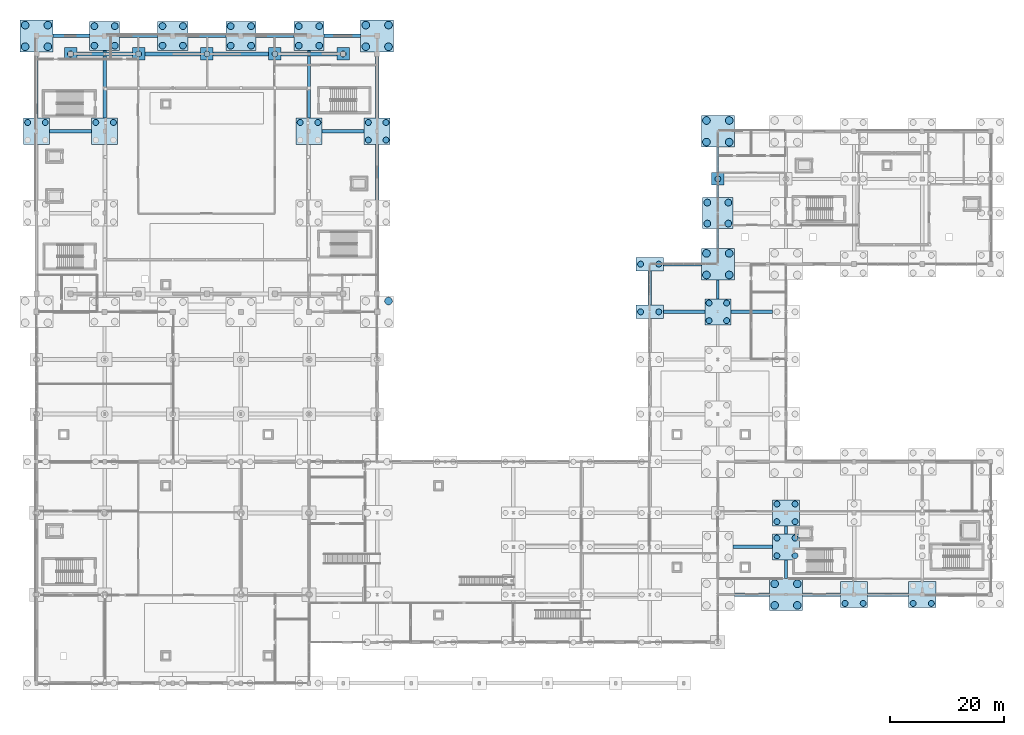
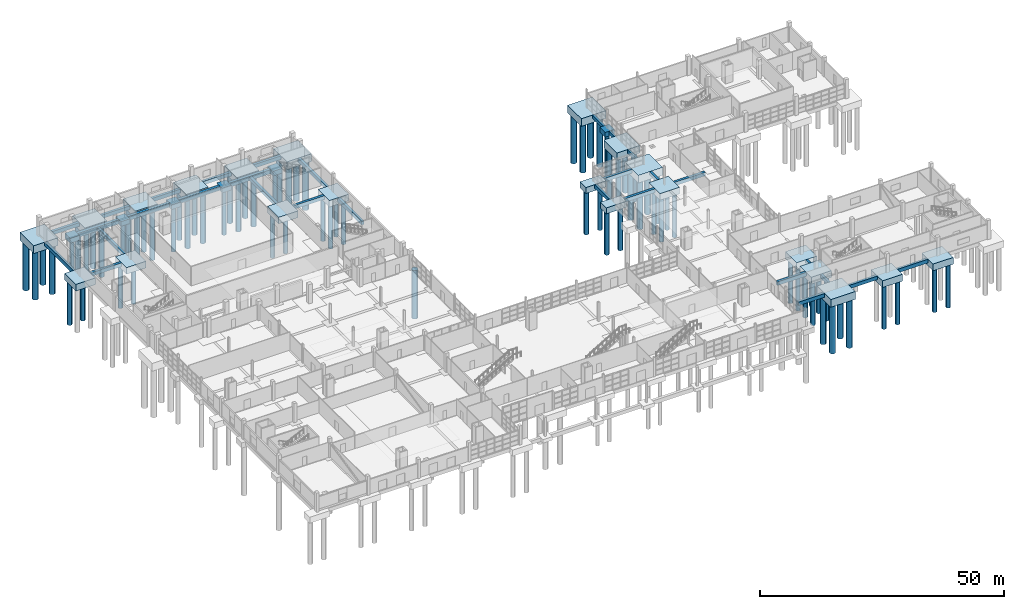
# One storey, part 4 of 82: 77 piles, 57 footings.
"""IFC4 building model written with IfcOpenShell, lengths in metres."""

from ifc_helpers import new_model, si_unit, direction, frame, origin, origin_2d, place, context, subcontext, project, spatial, rectangle, circle, extrude, material, material_profile, profile_set, type_object, element, save


model = new_model("IFC4")

# Units and contexts
model_context = context("Model", 3, precision=1e-05, world=origin(), true_north=direction((0.0, 1.0)))
body_context = subcontext(model_context, "Body", "Model", "MODEL_VIEW")
ifc_project = project(units=[si_unit("LENGTHUNIT", "METRE"), si_unit("AREAUNIT", "SQUARE_METRE"), si_unit("VOLUMEUNIT", "CUBIC_METRE"), si_unit("PLANEANGLEUNIT", "RADIAN"), si_unit("MASSUNIT", "GRAM", prefix="KILO")], contexts=[model_context])

# Site, building, storey
site_placement = place(None, origin())
site = spatial("IfcSite", under=ifc_project, at=site_placement, CompositionType="ELEMENT")
building_placement = place(site_placement, origin())
building = spatial("IfcBuilding", under=site, at=building_placement, Name="Kelmvaro Bay Concert Hall", CompositionType="ELEMENT")
storey_placement = place(building_placement, origin())
storey = spatial("IfcBuildingStorey", under=building, at=storey_placement, Name="L00", CompositionType="ELEMENT", Elevation=0.0)

# Footings
ifc_material_1 = material(Name="Concrete C35/45", Category="concrete")
footing_type_1 = type_object("IfcFootingType", Name="Grade Tie Beam 500x800", PredefinedType="FOOTING_BEAM", material=ifc_material_1)
footing_1_placement = place(storey_placement, frame((120.0, 69.35009765625, -0.7998046875), z_axis=(0.0, 0.0, 1.0), x_axis=(0.0, 1.0, 0.0)))
element("IfcFooting", 1, at=footing_1_placement, inside=storey, type_object=footing_type_1, Name="Grade Tie Beam FDN-TB-175", PredefinedType="FOOTING_BEAM", context=body_context, shape_type="SweptSolid", body=[
    extrude(rectangle(XDim=3.300048828125, YDim=0.5, at=origin_2d()), origin(), (0.0, 0.0, 1.0), 0.800048828125),
])
footing_2_placement = place(storey_placement, frame((120.0, 78.35009765625, -0.7998046875), z_axis=(0.0, 0.0, 1.0), x_axis=(0.0, 1.0, 0.0)))
element("IfcFooting", 2, at=footing_2_placement, inside=storey, type_object=footing_type_1, Name="Grade Tie Beam FDN-TB-176", PredefinedType="FOOTING_BEAM", context=body_context, shape_type="SweptSolid", body=[
    extrude(rectangle(XDim=3.5, YDim=0.5, at=origin_2d()), origin(), (0.0, 0.0, 1.0), 0.800048828125),
])
footing_3_placement = place(storey_placement, frame((120.0, 86.60009765625, -0.7998046875), z_axis=(0.0, 0.0, 1.0), x_axis=(0.0, 1.0, 0.0)))
element("IfcFooting", 3, at=footing_3_placement, inside=storey, type_object=footing_type_1, Name="Grade Tie Beam FDN-TB-177", PredefinedType="FOOTING_BEAM", context=body_context, shape_type="SweptSolid", body=[
    extrude(rectangle(XDim=2.199951171875, YDim=0.5, at=origin_2d()), origin(), (0.0, 0.0, 1.0), 0.800048828125),
])
footing_4_placement = place(storey_placement, frame((120.0, 92.14990234375, -0.7998046875), z_axis=(0.0, 0.0, 1.0), x_axis=(0.0, 1.0, 0.0)))
element("IfcFooting", 4, at=footing_4_placement, inside=storey, type_object=footing_type_1, Name="Grade Tie Beam FDN-TB-178", PredefinedType="FOOTING_BEAM", context=body_context, shape_type="SweptSolid", body=[
    extrude(rectangle(XDim=4.5, YDim=0.5, at=origin_2d()), origin(), (0.0, 0.0, 1.0), 0.800048828125),
])
footing_5_placement = place(storey_placement, frame((132.0, 20.050048828125, -0.7998046875), z_axis=(0.0, 0.0, 1.0), x_axis=(0.0, 1.0, 0.0)))
element("IfcFooting", 5, at=footing_5_placement, inside=storey, type_object=footing_type_1, Name="Grade Tie Beam FDN-TB-179", PredefinedType="FOOTING_BEAM", context=body_context, shape_type="SweptSolid", body=[
    extrude(rectangle(XDim=3.300048828125, YDim=0.5, at=origin_2d()), origin(), (0.0, 0.0, 1.0), 0.800048828125),
])
footing_6_placement = place(storey_placement, frame((132.0, 27.0, -0.7998046875), z_axis=(0.0, 0.0, 1.0), x_axis=(0.0, 1.0, 0.0)))
element("IfcFooting", 6, at=footing_6_placement, inside=storey, type_object=footing_type_1, Name="Grade Tie Beam FDN-TB-180", PredefinedType="FOOTING_BEAM", context=body_context, shape_type="SweptSolid", body=[
    extrude(rectangle(XDim=1.39990234375, YDim=0.5, at=origin_2d()), origin(), (0.0, 0.0, 1.0), 0.800048828125),
])
ifc_material_2 = material(Name="Concrete C35/45", Category="concrete")
footing_type_2 = type_object("IfcFootingType", Name="Grade Tie Beam 600x900", PredefinedType="FOOTING_BEAM", material=ifc_material_2)
footing_7_placement = place(storey_placement, frame((126.0, 15.60009765625, -0.89990234375), z_axis=(0.0, 0.0, 1.0), x_axis=(1.0, 0.0, 0.0)))
element("IfcFooting", 7, at=footing_7_placement, inside=storey, type_object=footing_type_2, Name="Grade Tie Beam FDN-TB-022", PredefinedType="FOOTING_BEAM", context=body_context, shape_type="SweptSolid", body=[
    extrude(rectangle(XDim=6.199951171875, YDim=0.60009765625, at=origin_2d()), origin(), (0.0, 0.0, 1.0), 0.89990234375),
])
footing_8_placement = place(storey_placement, frame((138.25, 15.60009765625, -0.89990234375), z_axis=(0.0, 0.0, 1.0), x_axis=(1.0, 0.0, 0.0)))
element("IfcFooting", 8, at=footing_8_placement, inside=storey, type_object=footing_type_2, Name="Grade Tie Beam FDN-TB-023", PredefinedType="FOOTING_BEAM", context=body_context, shape_type="SweptSolid", body=[
    extrude(rectangle(XDim=6.699951171875, YDim=0.60009765625, at=origin_2d()), origin(), (0.0, 0.0, 1.0), 0.89990234375),
])
footing_9_placement = place(storey_placement, frame((150.0, 15.60009765625, -0.89990234375), z_axis=(0.0, 0.0, 1.0), x_axis=(1.0, 0.0, 0.0)))
element("IfcFooting", 9, at=footing_9_placement, inside=storey, type_object=footing_type_2, Name="Grade Tie Beam FDN-TB-024", PredefinedType="FOOTING_BEAM", context=body_context, shape_type="SweptSolid", body=[
    extrude(rectangle(XDim=7.199951171875, YDim=0.60009765625, at=origin_2d()), origin(), (0.0, 0.0, 1.0), 0.89990234375),
])
footing_10_placement = place(storey_placement, frame((126.14990234375, 24.0, -0.89990234375), z_axis=(0.0, 0.0, 1.0), x_axis=(1.0, 0.0, 0.0)))
element("IfcFooting", 10, at=footing_10_placement, inside=storey, type_object=footing_type_2, Name="Grade Tie Beam FDN-TB-029", PredefinedType="FOOTING_BEAM", context=body_context, shape_type="SweptSolid", body=[
    extrude(rectangle(XDim=6.89990234375, YDim=0.60009765625, at=origin_2d()), origin(), (0.0, 0.0, 1.0), 0.89990234375),
])
for number, where, z_axis, x_axis, name in (
    (11, (114.050048828125, 65.39990234375, -0.89990234375), (0.0, 0.0, 1.0), (1.0, 0.0, 0.0), "Grade Tie Beam FDN-TB-074"),
    (12, (125.949951171875, 65.39990234375, -0.89990234375), (0.0, 0.0, 1.0), (1.0, 0.0, 0.0), "Grade Tie Beam FDN-TB-075"),
):
    element("IfcFooting", number, at=place(storey_placement, frame(where, z_axis=z_axis, x_axis=x_axis)), inside=storey, type_object=footing_type_2, Name=name, PredefinedType="FOOTING_BEAM", context=body_context, shape_type="SweptSolid", body=[
        extrude(rectangle(XDim=7.300048828125, YDim=0.60009765625, at=origin_2d()), origin(), (0.0, 0.0, 1.0), 0.89990234375),
    ])
footing_11_placement = place(storey_placement, frame((113.75, 73.800048828125, -0.89990234375), z_axis=(0.0, 0.0, 1.0), x_axis=(1.0, 0.0, 0.0)))
element("IfcFooting", 13, at=footing_11_placement, inside=storey, type_object=footing_type_2, Name="Grade Tie Beam FDN-TB-080", PredefinedType="FOOTING_BEAM", context=body_context, shape_type="SweptSolid", body=[
    extrude(rectangle(XDim=6.699951171875, YDim=0.60009765625, at=origin_2d()), origin(), (0.0, 0.0, 1.0), 0.89990234375),
])
for number, where, z_axis, x_axis, name in (
    (14, (6.0, 97.199951171875, -0.89990234375), (0.0, 0.0, 1.0), (1.0, 0.0, 0.0), "Grade Tie Beam FDN-TB-092"),
    (15, (54.0, 97.199951171875, -0.89990234375), (0.0, 0.0, 1.0), (1.0, 0.0, 0.0), "Grade Tie Beam FDN-TB-093"),
):
    element("IfcFooting", number, at=place(storey_placement, frame(where, z_axis=z_axis, x_axis=x_axis)), inside=storey, type_object=footing_type_2, Name=name, PredefinedType="FOOTING_BEAM", context=body_context, shape_type="SweptSolid", body=[
        extrude(rectangle(XDim=7.39990234375, YDim=0.60009765625, at=origin_2d()), origin(), (0.0, 0.0, 1.0), 0.89990234375),
    ])
footing_12_placement = place(storey_placement, frame((6.125, 114.0, -0.89990234375), z_axis=(0.0, 0.0, 1.0), x_axis=(1.0, 0.0, 0.0)))
element("IfcFooting", 16, at=footing_12_placement, inside=storey, type_object=footing_type_2, Name="Grade Tie Beam FDN-TB-102", PredefinedType="FOOTING_BEAM", context=body_context, shape_type="SweptSolid", body=[
    extrude(rectangle(XDim=6.449951171875, YDim=0.60009765625, at=origin_2d()), origin(), (0.0, 0.0, 1.0), 0.89990234375),
])
for number, where, z_axis, x_axis, name in (
    (17, (18.0, 114.0, -0.89990234375), (0.0, 0.0, 1.0), (1.0, 0.0, 0.0), "Grade Tie Beam FDN-TB-103"),
    (18, (30.0, 114.0, -0.89990234375), (0.0, 0.0, 1.0), (1.0, 0.0, 0.0), "Grade Tie Beam FDN-TB-104"),
    (19, (42.0, 114.0, -0.89990234375), (0.0, 0.0, 1.0), (1.0, 0.0, 0.0), "Grade Tie Beam FDN-TB-105"),
):
    element("IfcFooting", number, at=place(storey_placement, frame(where, z_axis=z_axis, x_axis=x_axis)), inside=storey, type_object=footing_type_2, Name=name, PredefinedType="FOOTING_BEAM", context=body_context, shape_type="SweptSolid", body=[
        extrude(rectangle(XDim=6.699951171875, YDim=0.60009765625, at=origin_2d()), origin(), (0.0, 0.0, 1.0), 0.89990234375),
    ])
footing_13_placement = place(storey_placement, frame((53.875, 114.0, -0.89990234375), z_axis=(0.0, 0.0, 1.0), x_axis=(1.0, 0.0, 0.0)))
element("IfcFooting", 20, at=footing_13_placement, inside=storey, type_object=footing_type_2, Name="Grade Tie Beam FDN-TB-106", PredefinedType="FOOTING_BEAM", context=body_context, shape_type="SweptSolid", body=[
    extrude(rectangle(XDim=6.449951171875, YDim=0.60009765625, at=origin_2d()), origin(), (0.0, 0.0, 1.0), 0.89990234375),
])
footing_14_placement = place(storey_placement, frame((0.0, 105.35009765625, -0.89990234375), z_axis=(0.0, 0.0, 1.0), x_axis=(0.0, 1.0, 0.0)))
element("IfcFooting", 21, at=footing_14_placement, inside=storey, type_object=footing_type_2, Name="Grade Tie Beam FDN-TB-115", PredefinedType="FOOTING_BEAM", context=body_context, shape_type="SweptSolid", body=[
    extrude(rectangle(XDim=11.699951171875, YDim=0.60009765625, at=origin_2d()), origin(), (0.0, 0.0, 1.0), 0.89990234375),
])
for number, where, z_axis, x_axis, name in (
    (22, (12.0, 105.47509765625, -0.89990234375), (0.0, 0.0, 1.0), (0.0, 1.0, 0.0), "Grade Tie Beam FDN-TB-124"),
    (23, (48.0, 105.47509765625, -0.89990234375), (0.0, 0.0, 1.0), (0.0, 1.0, 0.0), "Grade Tie Beam FDN-TB-142"),
):
    element("IfcFooting", number, at=place(storey_placement, frame(where, z_axis=z_axis, x_axis=x_axis)), inside=storey, type_object=footing_type_2, Name=name, PredefinedType="FOOTING_BEAM", context=body_context, shape_type="SweptSolid", body=[
        extrude(rectangle(XDim=11.949951171875, YDim=0.60009765625, at=origin_2d()), origin(), (0.0, 0.0, 1.0), 0.89990234375),
    ])
footing_15_placement = place(storey_placement, frame((60.0, 90.0, -0.89990234375), z_axis=(0.0, 0.0, 1.0), x_axis=(0.0, 1.0, 0.0)))
element("IfcFooting", 24, at=footing_15_placement, inside=storey, type_object=footing_type_2, Name="Grade Tie Beam FDN-TB-150", PredefinedType="FOOTING_BEAM", context=body_context, shape_type="SweptSolid", body=[
    extrude(rectangle(XDim=9.800048828125, YDim=0.60009765625, at=origin_2d()), origin(), (0.0, 0.0, 1.0), 0.89990234375),
])
footing_16_placement = place(storey_placement, frame((60.0, 105.35009765625, -0.89990234375), z_axis=(0.0, 0.0, 1.0), x_axis=(0.0, 1.0, 0.0)))
element("IfcFooting", 25, at=footing_16_placement, inside=storey, type_object=footing_type_2, Name="Grade Tie Beam FDN-TB-151", PredefinedType="FOOTING_BEAM", context=body_context, shape_type="SweptSolid", body=[
    extrude(rectangle(XDim=11.699951171875, YDim=0.60009765625, at=origin_2d()), origin(), (0.0, 0.0, 1.0), 0.89990234375),
])
footing_17_placement = place(storey_placement, frame((108.0, 69.60009765625, -0.89990234375), z_axis=(0.0, 0.0, 1.0), x_axis=(0.0, 1.0, 0.0)))
element("IfcFooting", 26, at=footing_17_placement, inside=storey, type_object=footing_type_2, Name="Grade Tie Beam FDN-TB-167", PredefinedType="FOOTING_BEAM", context=body_context, shape_type="SweptSolid", body=[
    extrude(rectangle(XDim=6.0, YDim=0.60009765625, at=origin_2d()), origin(), (0.0, 0.0, 1.0), 0.89990234375),
])
ifc_material_3 = material(Name="Concrete C35/45", Category="concrete")
footing_type_3 = type_object("IfcFootingType", Name="Grade Tie Beam 700x1000", PredefinedType="FOOTING_BEAM", material=ifc_material_3)
for number, where, z_axis, x_axis, name in (
    (27, (12.0, 110.820068359375, -1.0), (0.0, 0.0, 1.0), (1.0, 0.0, 0.0), "Grade Tie Beam FDN-TB-098"),
    (28, (24.0, 110.820068359375, -1.0), (0.0, 0.0, 1.0), (1.0, 0.0, 0.0), "Grade Tie Beam FDN-TB-099"),
    (29, (36.0, 110.820068359375, -1.0), (0.0, 0.0, 1.0), (1.0, 0.0, 0.0), "Grade Tie Beam FDN-TB-100"),
    (30, (48.0, 110.820068359375, -1.0), (0.0, 0.0, 1.0), (1.0, 0.0, 0.0), "Grade Tie Beam FDN-TB-101"),
):
    element("IfcFooting", number, at=place(storey_placement, frame(where, z_axis=z_axis, x_axis=x_axis)), inside=storey, type_object=footing_type_3, Name=name, PredefinedType="FOOTING_BEAM", context=body_context, shape_type="SweptSolid", body=[
        extrude(rectangle(XDim=9.800048828125, YDim=0.699951171875, at=origin_2d()), origin(), (0.0, 0.0, 1.0), 1.0),
    ])
ifc_material_4 = material(Name="Concrete C35/45", Category="concrete")
footing_type_4 = type_object("IfcFootingType", Name="Pile Cap 2200x2200x1200", PredefinedType="PILE_CAP", material=ifc_material_4)
for number, where, z_axis, x_axis, name in (
    (31, (6.0, 110.820068359375, -1.2001953125), (0.0, 0.0, 1.0), (1.0, 0.0, 0.0), "Pile Cap FDN-PC-016"),
    (32, (18.0, 110.820068359375, -1.2001953125), (0.0, 0.0, 1.0), (1.0, 0.0, 0.0), "Pile Cap FDN-PC-018"),
    (33, (30.0, 110.820068359375, -1.2001953125), (0.0, 0.0, 1.0), (1.0, 0.0, 0.0), "Pile Cap FDN-PC-020"),
    (34, (42.0, 110.820068359375, -1.2001953125), (0.0, 0.0, 1.0), (1.0, 0.0, 0.0), "Pile Cap FDN-PC-022"),
    (35, (54.0, 110.820068359375, -1.2001953125), (0.0, 0.0, 1.0), (1.0, 0.0, 0.0), "Pile Cap FDN-PC-024"),
    (36, (120.0, 88.800048828125, -1.2001953125), (0.0, 0.0, 1.0), (1.0, 0.0, 0.0), "Pile Cap FDN-PC-037"),
):
    element("IfcFooting", number, at=place(storey_placement, frame(where, z_axis=z_axis, x_axis=x_axis)), inside=storey, type_object=footing_type_4, Name=name, PredefinedType="PILE_CAP", context=body_context, shape_type="SweptSolid", body=[
        extrude(rectangle(XDim=2.199951171875, YDim=2.199951171875, at=origin_2d()), origin(), (0.0, 0.0, 1.0), 1.199951171875),
    ])
ifc_material_5 = material(Name="Concrete C35/45", Category="concrete")
footing_type_5 = type_object("IfcFootingType", Name="Pile Cap 4600x4600x1650", PredefinedType="PILE_CAP", material=ifc_material_5)
for number, where, z_axis, x_axis, name in (
    (37, (0.0, 97.199951171875, -1.64990234375), (0.0, 0.0, 1.0), (1.0, 0.0, 0.0), "Pile Cap FDN-PC-028"),
    (38, (12.0, 97.199951171875, -1.64990234375), (0.0, 0.0, 1.0), (1.0, 0.0, 0.0), "Pile Cap FDN-PC-030"),
    (39, (48.0, 97.199951171875, -1.64990234375), (0.0, 0.0, 1.0), (1.0, 0.0, 0.0), "Pile Cap FDN-PC-032"),
    (40, (60.0, 97.199951171875, -1.64990234375), (0.0, 0.0, 1.0), (1.0, 0.0, 0.0), "Pile Cap FDN-PC-034"),
    (41, (120.0, 65.39990234375, -1.64990234375), (0.0, 0.0, 1.0), (1.0, 0.0, 0.0), "Pile Cap FDN-PC-129"),
):
    element("IfcFooting", number, at=place(storey_placement, frame(where, z_axis=z_axis, x_axis=x_axis)), inside=storey, type_object=footing_type_5, Name=name, PredefinedType="PILE_CAP", context=body_context, shape_type="SweptSolid", body=[
        extrude(rectangle(XDim=4.60009765625, YDim=4.60009765625, at=origin_2d()), origin(), (0.0, 0.0, 1.0), 1.64990234375),
    ])
ifc_material_6 = material(Name="Concrete C35/45", Category="concrete")
footing_type_6 = type_object("IfcFootingType", Name="Pile Cap 4800x2400x1500", PredefinedType="PILE_CAP", material=ifc_material_6)
for number, where, z_axis, x_axis, name in (
    (42, (108.0, 65.39990234375, -1.5), (0.0, 0.0, 1.0), (1.0, 0.0, 0.0), "Pile Cap FDN-PC-126"),
    (43, (108.0, 73.800048828125, -1.5), (0.0, 0.0, 1.0), (1.0, 0.0, 0.0), "Pile Cap FDN-PC-133"),
):
    element("IfcFooting", number, at=place(storey_placement, frame(where, z_axis=z_axis, x_axis=x_axis)), inside=storey, type_object=footing_type_6, Name=name, PredefinedType="PILE_CAP", context=body_context, shape_type="SweptSolid", body=[
        extrude(rectangle(XDim=4.800048828125, YDim=2.39990234375, at=origin_2d()), origin(), (0.0, 0.0, 1.0), 1.5),
    ])
ifc_material_7 = material(Name="Concrete C35/45", Category="concrete")
footing_type_7 = type_object("IfcFootingType", Name="Pile Cap 4800x4600x1700", PredefinedType="PILE_CAP", material=ifc_material_7)
for number, where, z_axis, x_axis, name in (
    (44, (132.0, 24.0, -1.7001953125), (0.0, 0.0, 1.0), (1.0, 0.0, 0.0), "Pile Cap FDN-PC-076"),
    (45, (132.0, 30.0, -1.7001953125), (0.0, 0.0, 1.0), (1.0, 0.0, 0.0), "Pile Cap FDN-PC-077"),
    (46, (144.0, 15.60009765625, -1.7001953125), (0.0, 0.0, 1.0), (1.0, 0.0, 0.0), "Pile Cap FDN-PC-079"),
    (47, (156.0, 15.60009765625, -1.7001953125), (0.0, 0.0, 1.0), (1.0, 0.0, 0.0), "Pile Cap FDN-PC-082"),
):
    element("IfcFooting", number, at=place(storey_placement, frame(where, z_axis=z_axis, x_axis=x_axis)), inside=storey, type_object=footing_type_7, Name=name, PredefinedType="PILE_CAP", context=body_context, shape_type="SweptSolid", body=[
        extrude(rectangle(XDim=4.800048828125, YDim=4.60009765625, at=origin_2d()), origin(), (0.0, 0.0, 1.0), 1.699951171875),
    ])
ifc_material_8 = material(Name="Concrete C35/45", Category="concrete")
footing_type_8 = type_object("IfcFootingType", Name="Pile Cap 5300x5100x1800", PredefinedType="PILE_CAP", material=ifc_material_8)
for number, where, z_axis, x_axis, name in (
    (48, (12.0, 114.0, -1.7998046875), (0.0, 0.0, 1.0), (1.0, 0.0, 0.0), "Pile Cap FDN-PC-004"),
    (49, (24.0, 114.0, -1.7998046875), (0.0, 0.0, 1.0), (1.0, 0.0, 0.0), "Pile Cap FDN-PC-006"),
    (50, (36.0, 114.0, -1.7998046875), (0.0, 0.0, 1.0), (1.0, 0.0, 0.0), "Pile Cap FDN-PC-008"),
    (51, (48.0, 114.0, -1.7998046875), (0.0, 0.0, 1.0), (1.0, 0.0, 0.0), "Pile Cap FDN-PC-010"),
):
    element("IfcFooting", number, at=place(storey_placement, frame(where, z_axis=z_axis, x_axis=x_axis)), inside=storey, type_object=footing_type_8, Name=name, PredefinedType="PILE_CAP", context=body_context, shape_type="SweptSolid", body=[
        extrude(rectangle(XDim=5.300048828125, YDim=5.10009765625, at=origin_2d()), origin(), (0.0, 0.0, 1.0), 1.800048828125),
    ])
ifc_material_9 = material(Name="Concrete C35/45", Category="concrete")
footing_type_9 = type_object("IfcFootingType", Name="Pile Cap 5400x5400x1850", PredefinedType="PILE_CAP", material=ifc_material_9)
footing_18_placement = place(storey_placement, frame((120.0, 82.800048828125, -1.85009765625), z_axis=(0.0, 0.0, 1.0), x_axis=(1.0, 0.0, 0.0)))
element("IfcFooting", 52, at=footing_18_placement, inside=storey, type_object=footing_type_9, Name="Pile Cap FDN-PC-036", PredefinedType="PILE_CAP", context=body_context, shape_type="SweptSolid", body=[
    extrude(rectangle(XDim=5.39990234375, YDim=5.39990234375, at=origin_2d()), origin(), (0.0, 0.0, 1.0), 1.85009765625),
])
ifc_material_10 = material(Name="Concrete C35/45", Category="concrete")
footing_type_10 = type_object("IfcFootingType", Name="Pile Cap 5800x5600x1950", PredefinedType="PILE_CAP", material=ifc_material_10)
for number, where, z_axis, x_axis, name in (
    (53, (0.0, 114.0, -1.9501953125), (0.0, 0.0, 1.0), (1.0, 0.0, 0.0), "Pile Cap FDN-PC-002"),
    (54, (60.0, 114.0, -1.9501953125), (0.0, 0.0, 1.0), (1.0, 0.0, 0.0), "Pile Cap FDN-PC-012"),
    (55, (120.0, 73.800048828125, -1.9501953125), (0.0, 0.0, 1.0), (1.0, 0.0, 0.0), "Pile Cap FDN-PC-035"),
    (56, (120.0, 97.199951171875, -1.9501953125), (0.0, 0.0, 1.0), (1.0, 0.0, 0.0), "Pile Cap FDN-PC-038"),
    (57, (132.0, 15.60009765625, -1.9501953125), (0.0, 0.0, 1.0), (1.0, 0.0, 0.0), "Pile Cap FDN-PC-075"),
):
    element("IfcFooting", number, at=place(storey_placement, frame(where, z_axis=z_axis, x_axis=x_axis)), inside=storey, type_object=footing_type_10, Name=name, PredefinedType="PILE_CAP", context=body_context, shape_type="SweptSolid", body=[
        extrude(rectangle(XDim=5.800048828125, YDim=5.60009765625, at=origin_2d()), origin(), (0.0, 0.0, 1.0), 1.949951171875),
    ])

# Piles
ifc_material_11 = material(Name="Concrete C35/45", Category="concrete")
ifc_material_profile_1 = material_profile(ifc_material_11, circle(Radius=0.52490234375, at=origin_2d()), Name="PILE-BORED-1050")
ifc_profile_set_1 = profile_set([ifc_material_profile_1], Name="Concrete C35/45")
pile_type_1 = type_object("IfcPileType", Name="Rock Shaft Bored Pile D1050", PredefinedType="BORED", material=ifc_profile_set_1)
for number, where, z_axis, x_axis, name in (
    (58, (6.0, 110.820068359375, -1.10009765625), (0.0, 0.0, -1.0), (1.0, 0.0, 0.0), "Bored Rock Shaft FDN-BP-0050"),
    (59, (18.0, 110.820068359375, -1.10009765625), (0.0, 0.0, -1.0), (1.0, 0.0, 0.0), "Bored Rock Shaft FDN-BP-0052"),
    (60, (30.0, 110.820068359375, -1.10009765625), (0.0, 0.0, -1.0), (1.0, 0.0, 0.0), "Bored Rock Shaft FDN-BP-0054"),
    (61, (42.0, 110.820068359375, -1.10009765625), (0.0, 0.0, -1.0), (1.0, 0.0, 0.0), "Bored Rock Shaft FDN-BP-0056"),
    (62, (54.0, 110.820068359375, -1.10009765625), (0.0, 0.0, -1.0), (1.0, 0.0, 0.0), "Bored Rock Shaft FDN-BP-0058"),
):
    element("IfcPile", number, at=place(storey_placement, frame(where, z_axis=z_axis, x_axis=x_axis)), inside=storey, type_object=pile_type_1, Name=name, PredefinedType="BORED", context=body_context, shape_type="SweptSolid", body=[
        extrude(circle(Radius=0.52490234375, at=origin_2d()), origin(), (0.0, 0.0, 1.0), 11.39990234375),
    ])
for number, where, z_axis, x_axis, name in (
    (63, (-1.550048828125, 98.75, -1.550048828125), (0.0, 0.0, -1.0), (1.0, 0.0, 0.0), "Bored Rock Shaft FDN-BP-0065"),
    (64, (1.550048828125, 98.75, -1.550048828125), (0.0, 0.0, -1.0), (1.0, 0.0, 0.0), "Bored Rock Shaft FDN-BP-0066"),
    (65, (10.449951171875, 98.75, -1.550048828125), (0.0, 0.0, -1.0), (1.0, 0.0, 0.0), "Bored Rock Shaft FDN-BP-0073"),
    (66, (13.550048828125, 98.75, -1.550048828125), (0.0, 0.0, -1.0), (1.0, 0.0, 0.0), "Bored Rock Shaft FDN-BP-0074"),
    (67, (46.449951171875, 98.75, -1.550048828125), (0.0, 0.0, -1.0), (1.0, 0.0, 0.0), "Bored Rock Shaft FDN-BP-0081"),
    (68, (49.550048828125, 98.75, -1.550048828125), (0.0, 0.0, -1.0), (1.0, 0.0, 0.0), "Bored Rock Shaft FDN-BP-0082"),
    (69, (58.449951171875, 95.64990234375, -1.550048828125), (0.0, 0.0, -1.0), (1.0, 0.0, 0.0), "Bored Rock Shaft FDN-BP-0087"),
    (70, (61.550048828125, 95.64990234375, -1.550048828125), (0.0, 0.0, -1.0), (1.0, 0.0, 0.0), "Bored Rock Shaft FDN-BP-0088"),
    (71, (58.449951171875, 98.75, -1.550048828125), (0.0, 0.0, -1.0), (1.0, 0.0, 0.0), "Bored Rock Shaft FDN-BP-0089"),
    (72, (61.550048828125, 98.75, -1.550048828125), (0.0, 0.0, -1.0), (1.0, 0.0, 0.0), "Bored Rock Shaft FDN-BP-0090"),
):
    element("IfcPile", number, at=place(storey_placement, frame(where, z_axis=z_axis, x_axis=x_axis)), inside=storey, type_object=pile_type_1, Name=name, PredefinedType="BORED", context=body_context, shape_type="SweptSolid", body=[
        extrude(circle(Radius=0.52490234375, at=origin_2d()), origin(), (0.0, 0.0, 1.0), 10.949951171875),
    ])
pile_placement = place(storey_placement, frame((120.0, 88.800048828125, -1.10009765625), z_axis=(0.0, 0.0, -1.0), x_axis=(1.0, 0.0, 0.0)))
element("IfcPile", 73, at=pile_placement, inside=storey, type_object=pile_type_1, Name="Bored Rock Shaft FDN-BP-0099", PredefinedType="BORED", context=body_context, shape_type="SweptSolid", body=[
    extrude(circle(Radius=0.52490234375, at=origin_2d()), origin(), (0.0, 0.0, 1.0), 11.39990234375),
])
for number, where, z_axis, x_axis, name in (
    (74, (130.39990234375, 22.449951171875, -1.60009765625), (0.0, 0.0, -1.0), (1.0, 0.0, 0.0), "Bored Rock Shaft FDN-BP-0194"),
    (75, (133.60009765625, 22.449951171875, -1.60009765625), (0.0, 0.0, -1.0), (1.0, 0.0, 0.0), "Bored Rock Shaft FDN-BP-0195"),
    (76, (130.39990234375, 25.550048828125, -1.60009765625), (0.0, 0.0, -1.0), (1.0, 0.0, 0.0), "Bored Rock Shaft FDN-BP-0196"),
    (77, (133.60009765625, 25.550048828125, -1.60009765625), (0.0, 0.0, -1.0), (1.0, 0.0, 0.0), "Bored Rock Shaft FDN-BP-0197"),
    (78, (130.39990234375, 28.449951171875, -1.60009765625), (0.0, 0.0, -1.0), (1.0, 0.0, 0.0), "Bored Rock Shaft FDN-BP-0198"),
    (79, (133.60009765625, 28.449951171875, -1.60009765625), (0.0, 0.0, -1.0), (1.0, 0.0, 0.0), "Bored Rock Shaft FDN-BP-0199"),
    (80, (130.39990234375, 31.550048828125, -1.60009765625), (0.0, 0.0, -1.0), (1.0, 0.0, 0.0), "Bored Rock Shaft FDN-BP-0200"),
    (81, (133.60009765625, 31.550048828125, -1.60009765625), (0.0, 0.0, -1.0), (1.0, 0.0, 0.0), "Bored Rock Shaft FDN-BP-0201"),
    (82, (142.39990234375, 14.050048828125, -1.60009765625), (0.0, 0.0, -1.0), (1.0, 0.0, 0.0), "Bored Rock Shaft FDN-BP-0206"),
    (83, (145.60009765625, 14.050048828125, -1.60009765625), (0.0, 0.0, -1.0), (1.0, 0.0, 0.0), "Bored Rock Shaft FDN-BP-0207"),
    (84, (154.39990234375, 14.050048828125, -1.60009765625), (0.0, 0.0, -1.0), (1.0, 0.0, 0.0), "Bored Rock Shaft FDN-BP-0216"),
    (85, (157.60009765625, 14.050048828125, -1.60009765625), (0.0, 0.0, -1.0), (1.0, 0.0, 0.0), "Bored Rock Shaft FDN-BP-0217"),
):
    element("IfcPile", number, at=place(storey_placement, frame(where, z_axis=z_axis, x_axis=x_axis)), inside=storey, type_object=pile_type_1, Name=name, PredefinedType="BORED", context=body_context, shape_type="SweptSolid", body=[
        extrude(circle(Radius=0.52490234375, at=origin_2d()), origin(), (0.0, 0.0, 1.0), 10.89990234375),
    ])
for number, where, z_axis, x_axis, name in (
    (86, (106.39990234375, 65.39990234375, -1.39990234375), (0.0, 0.0, -1.0), (1.0, 0.0, 0.0), "Bored Rock Shaft FDN-BP-0299"),
    (87, (109.60009765625, 65.39990234375, -1.39990234375), (0.0, 0.0, -1.0), (1.0, 0.0, 0.0), "Bored Rock Shaft FDN-BP-0300"),
):
    element("IfcPile", number, at=place(storey_placement, frame(where, z_axis=z_axis, x_axis=x_axis)), inside=storey, type_object=pile_type_1, Name=name, PredefinedType="BORED", context=body_context, shape_type="SweptSolid", body=[
        extrude(circle(Radius=0.52490234375, at=origin_2d()), origin(), (0.0, 0.0, 1.0), 11.10009765625),
    ])
for number, where, z_axis, x_axis, name in (
    (88, (118.449951171875, 63.85009765625, -1.550048828125), (0.0, 0.0, -1.0), (1.0, 0.0, 0.0), "Bored Rock Shaft FDN-BP-0309"),
    (89, (121.550048828125, 63.85009765625, -1.550048828125), (0.0, 0.0, -1.0), (1.0, 0.0, 0.0), "Bored Rock Shaft FDN-BP-0310"),
    (90, (118.449951171875, 66.949951171875, -1.550048828125), (0.0, 0.0, -1.0), (1.0, 0.0, 0.0), "Bored Rock Shaft FDN-BP-0311"),
    (91, (121.550048828125, 66.949951171875, -1.550048828125), (0.0, 0.0, -1.0), (1.0, 0.0, 0.0), "Bored Rock Shaft FDN-BP-0312"),
):
    element("IfcPile", number, at=place(storey_placement, frame(where, z_axis=z_axis, x_axis=x_axis)), inside=storey, type_object=pile_type_1, Name=name, PredefinedType="BORED", context=body_context, shape_type="SweptSolid", body=[
        extrude(circle(Radius=0.52490234375, at=origin_2d()), origin(), (0.0, 0.0, 1.0), 10.949951171875),
    ])
for number, where, z_axis, x_axis, name in (
    (92, (106.39990234375, 73.800048828125, -1.39990234375), (0.0, 0.0, -1.0), (1.0, 0.0, 0.0), "Bored Rock Shaft FDN-BP-0319"),
    (93, (109.60009765625, 73.800048828125, -1.39990234375), (0.0, 0.0, -1.0), (1.0, 0.0, 0.0), "Bored Rock Shaft FDN-BP-0320"),
):
    element("IfcPile", number, at=place(storey_placement, frame(where, z_axis=z_axis, x_axis=x_axis)), inside=storey, type_object=pile_type_1, Name=name, PredefinedType="BORED", context=body_context, shape_type="SweptSolid", body=[
        extrude(circle(Radius=0.52490234375, at=origin_2d()), origin(), (0.0, 0.0, 1.0), 11.10009765625),
    ])
ifc_material_12 = material(Name="Concrete C35/45", Category="concrete")
ifc_material_profile_2 = material_profile(ifc_material_12, circle(Radius=0.60009765625, at=origin_2d()), Name="PILE-BORED-1200")
ifc_profile_set_2 = profile_set([ifc_material_profile_2], Name="Concrete C35/45")
pile_type_2 = type_object("IfcPileType", Name="Rock Shaft Bored Pile D1200", PredefinedType="BORED", material=ifc_profile_set_2)
for number, where, z_axis, x_axis, name in (
    (94, (10.199951171875, 112.280029296875, -1.699951171875), (0.0, 0.0, -1.0), (1.0, 0.0, 0.0), "Bored Rock Shaft FDN-BP-0013"),
    (95, (13.800048828125, 112.280029296875, -1.699951171875), (0.0, 0.0, -1.0), (1.0, 0.0, 0.0), "Bored Rock Shaft FDN-BP-0014"),
    (96, (10.199951171875, 115.719970703125, -1.699951171875), (0.0, 0.0, -1.0), (1.0, 0.0, 0.0), "Bored Rock Shaft FDN-BP-0015"),
    (97, (13.800048828125, 115.719970703125, -1.699951171875), (0.0, 0.0, -1.0), (1.0, 0.0, 0.0), "Bored Rock Shaft FDN-BP-0016"),
    (98, (22.199951171875, 112.280029296875, -1.699951171875), (0.0, 0.0, -1.0), (1.0, 0.0, 0.0), "Bored Rock Shaft FDN-BP-0021"),
    (99, (25.800048828125, 112.280029296875, -1.699951171875), (0.0, 0.0, -1.0), (1.0, 0.0, 0.0), "Bored Rock Shaft FDN-BP-0022"),
    (100, (22.199951171875, 115.719970703125, -1.699951171875), (0.0, 0.0, -1.0), (1.0, 0.0, 0.0), "Bored Rock Shaft FDN-BP-0023"),
    (101, (25.800048828125, 115.719970703125, -1.699951171875), (0.0, 0.0, -1.0), (1.0, 0.0, 0.0), "Bored Rock Shaft FDN-BP-0024"),
    (102, (34.199951171875, 112.280029296875, -1.699951171875), (0.0, 0.0, -1.0), (1.0, 0.0, 0.0), "Bored Rock Shaft FDN-BP-0029"),
    (103, (37.800048828125, 112.280029296875, -1.699951171875), (0.0, 0.0, -1.0), (1.0, 0.0, 0.0), "Bored Rock Shaft FDN-BP-0030"),
    (104, (34.199951171875, 115.719970703125, -1.699951171875), (0.0, 0.0, -1.0), (1.0, 0.0, 0.0), "Bored Rock Shaft FDN-BP-0031"),
    (105, (37.800048828125, 115.719970703125, -1.699951171875), (0.0, 0.0, -1.0), (1.0, 0.0, 0.0), "Bored Rock Shaft FDN-BP-0032"),
    (106, (46.199951171875, 112.280029296875, -1.699951171875), (0.0, 0.0, -1.0), (1.0, 0.0, 0.0), "Bored Rock Shaft FDN-BP-0037"),
    (107, (49.800048828125, 112.280029296875, -1.699951171875), (0.0, 0.0, -1.0), (1.0, 0.0, 0.0), "Bored Rock Shaft FDN-BP-0038"),
    (108, (46.199951171875, 115.719970703125, -1.699951171875), (0.0, 0.0, -1.0), (1.0, 0.0, 0.0), "Bored Rock Shaft FDN-BP-0039"),
    (109, (49.800048828125, 115.719970703125, -1.699951171875), (0.0, 0.0, -1.0), (1.0, 0.0, 0.0), "Bored Rock Shaft FDN-BP-0040"),
):
    element("IfcPile", number, at=place(storey_placement, frame(where, z_axis=z_axis, x_axis=x_axis)), inside=storey, type_object=pile_type_2, Name=name, PredefinedType="BORED", context=body_context, shape_type="SweptSolid", body=[
        extrude(circle(Radius=0.60009765625, at=origin_2d()), origin(), (0.0, 0.0, 1.0), 12.300048828125),
    ])
for number, where, z_axis, x_axis, name in (
    (110, (118.14990234375, 80.949951171875, -1.75), (0.0, 0.0, -1.0), (1.0, 0.0, 0.0), "Bored Rock Shaft FDN-BP-0095"),
    (111, (121.85009765625, 80.949951171875, -1.75), (0.0, 0.0, -1.0), (1.0, 0.0, 0.0), "Bored Rock Shaft FDN-BP-0096"),
    (112, (118.14990234375, 84.64990234375, -1.75), (0.0, 0.0, -1.0), (1.0, 0.0, 0.0), "Bored Rock Shaft FDN-BP-0097"),
    (113, (121.85009765625, 84.64990234375, -1.75), (0.0, 0.0, -1.0), (1.0, 0.0, 0.0), "Bored Rock Shaft FDN-BP-0098"),
):
    element("IfcPile", number, at=place(storey_placement, frame(where, z_axis=z_axis, x_axis=x_axis)), inside=storey, type_object=pile_type_2, Name=name, PredefinedType="BORED", context=body_context, shape_type="SweptSolid", body=[
        extrude(circle(Radius=0.60009765625, at=origin_2d()), origin(), (0.0, 0.0, 1.0), 12.25),
    ])
ifc_material_13 = material(Name="Concrete C35/45", Category="concrete")
ifc_material_profile_3 = material_profile(ifc_material_13, circle(Radius=0.675048828125, at=origin_2d()), Name="PILE-BORED-1350")
ifc_profile_set_3 = profile_set([ifc_material_profile_3], Name="Concrete C35/45")
pile_type_3 = type_object("IfcPileType", Name="Rock Shaft Bored Pile D1350", PredefinedType="BORED", material=ifc_profile_set_3)
for number, where, z_axis, x_axis, name in (
    (114, (-2.0, 112.10009765625, -1.85009765625), (0.0, 0.0, -1.0), (1.0, 0.0, 0.0), "Bored Rock Shaft FDN-BP-0005"),
    (115, (2.0, 112.10009765625, -1.85009765625), (0.0, 0.0, -1.0), (1.0, 0.0, 0.0), "Bored Rock Shaft FDN-BP-0006"),
    (116, (-2.0, 115.89990234375, -1.85009765625), (0.0, 0.0, -1.0), (1.0, 0.0, 0.0), "Bored Rock Shaft FDN-BP-0007"),
    (117, (2.0, 115.89990234375, -1.85009765625), (0.0, 0.0, -1.0), (1.0, 0.0, 0.0), "Bored Rock Shaft FDN-BP-0008"),
    (118, (62.0, 67.300048828125, -1.85009765625), (0.0, 0.0, -1.0), (1.0, 0.0, 0.0), "Bored Rock Shaft FDN-BP-0044"),
    (119, (58.0, 112.10009765625, -1.85009765625), (0.0, 0.0, -1.0), (1.0, 0.0, 0.0), "Bored Rock Shaft FDN-BP-0045"),
    (120, (62.0, 112.10009765625, -1.85009765625), (0.0, 0.0, -1.0), (1.0, 0.0, 0.0), "Bored Rock Shaft FDN-BP-0046"),
    (121, (58.0, 115.89990234375, -1.85009765625), (0.0, 0.0, -1.0), (1.0, 0.0, 0.0), "Bored Rock Shaft FDN-BP-0047"),
    (122, (62.0, 115.89990234375, -1.85009765625), (0.0, 0.0, -1.0), (1.0, 0.0, 0.0), "Bored Rock Shaft FDN-BP-0048"),
    (123, (118.0, 71.89990234375, -1.85009765625), (0.0, 0.0, -1.0), (1.0, 0.0, 0.0), "Bored Rock Shaft FDN-BP-0091"),
    (124, (122.0, 71.89990234375, -1.85009765625), (0.0, 0.0, -1.0), (1.0, 0.0, 0.0), "Bored Rock Shaft FDN-BP-0092"),
    (125, (118.0, 75.699951171875, -1.85009765625), (0.0, 0.0, -1.0), (1.0, 0.0, 0.0), "Bored Rock Shaft FDN-BP-0093"),
    (126, (122.0, 75.699951171875, -1.85009765625), (0.0, 0.0, -1.0), (1.0, 0.0, 0.0), "Bored Rock Shaft FDN-BP-0094"),
    (127, (118.0, 95.300048828125, -1.85009765625), (0.0, 0.0, -1.0), (1.0, 0.0, 0.0), "Bored Rock Shaft FDN-BP-0100"),
    (128, (122.0, 95.300048828125, -1.85009765625), (0.0, 0.0, -1.0), (1.0, 0.0, 0.0), "Bored Rock Shaft FDN-BP-0101"),
    (129, (118.0, 99.10009765625, -1.85009765625), (0.0, 0.0, -1.0), (1.0, 0.0, 0.0), "Bored Rock Shaft FDN-BP-0102"),
    (130, (122.0, 99.10009765625, -1.85009765625), (0.0, 0.0, -1.0), (1.0, 0.0, 0.0), "Bored Rock Shaft FDN-BP-0103"),
    (131, (130.0, 13.699951171875, -1.85009765625), (0.0, 0.0, -1.0), (1.0, 0.0, 0.0), "Bored Rock Shaft FDN-BP-0190"),
    (132, (134.0, 13.699951171875, -1.85009765625), (0.0, 0.0, -1.0), (1.0, 0.0, 0.0), "Bored Rock Shaft FDN-BP-0191"),
    (133, (130.0, 17.5, -1.85009765625), (0.0, 0.0, -1.0), (1.0, 0.0, 0.0), "Bored Rock Shaft FDN-BP-0192"),
    (134, (134.0, 17.5, -1.85009765625), (0.0, 0.0, -1.0), (1.0, 0.0, 0.0), "Bored Rock Shaft FDN-BP-0193"),
):
    element("IfcPile", number, at=place(storey_placement, frame(where, z_axis=z_axis, x_axis=x_axis)), inside=storey, type_object=pile_type_3, Name=name, PredefinedType="BORED", context=body_context, shape_type="SweptSolid", body=[
        extrude(circle(Radius=0.675048828125, at=origin_2d()), origin(), (0.0, 0.0, 1.0), 12.14990234375),
    ])

save(model, "model.ifc")
